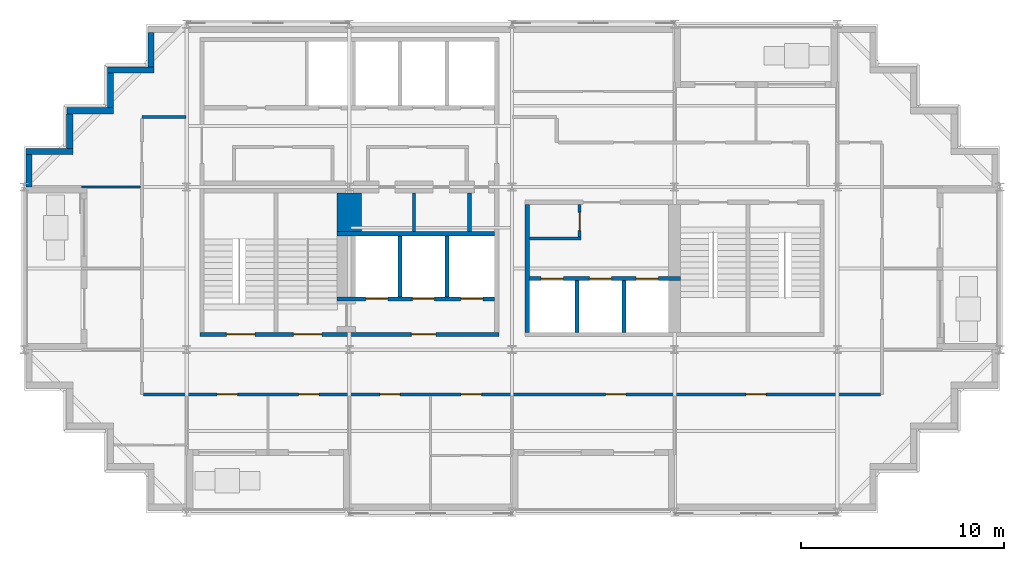
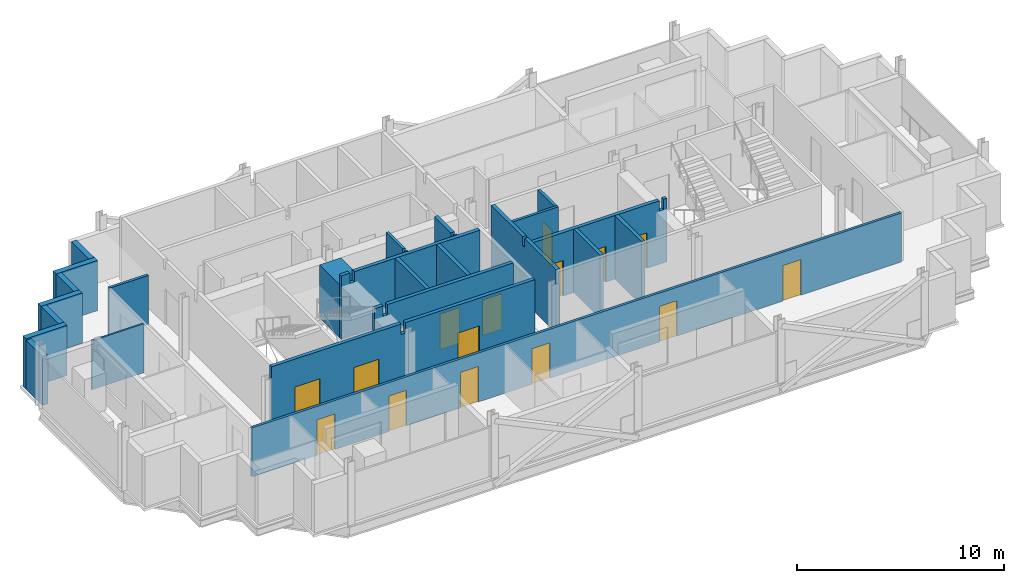
# One storey, part 5 of 10: 24 walls, 16 doors, 16 openings.
"""IFC4 building model written with IfcOpenShell, lengths in metres."""

from ifc_helpers import new_model, si_unit, direction, frame, frame_2d, origin, place, context, subcontext, project, spatial, polyline, rectangle, outline, extrude, material, layer, layer_set, type_object, element, fill, save


model = new_model("IFC4")

# Units and contexts
model_context = context("Model", 3, precision=1e-05, world=origin(), true_north=direction((0.0, 1.0)))
body_context = subcontext(model_context, "Body", "Model", "MODEL_VIEW")
ifc_project = project(units=[si_unit("LENGTHUNIT", "METRE"), si_unit("AREAUNIT", "SQUARE_METRE"), si_unit("VOLUMEUNIT", "CUBIC_METRE"), si_unit("PLANEANGLEUNIT", "RADIAN"), si_unit("MASSUNIT", "GRAM", prefix="KILO")], contexts=[model_context])

# Site, building, storey
site_placement = place(None, origin())
site = spatial("IfcSite", under=ifc_project, at=site_placement, CompositionType="ELEMENT")
building_placement = place(site_placement, origin())
building = spatial("IfcBuilding", under=site, at=building_placement, Name="Immortelle Media Tower", CompositionType="ELEMENT")
storey_placement = place(building_placement, frame((0.0, 0.0, 237.0)))
storey = spatial("IfcBuildingStorey", under=building, at=storey_placement, Name="L51", CompositionType="ELEMENT", Elevation=237.0)

# Walls
ifc_material_1 = material(Name="Fire-rated gypsum board", Category="gypsum")
ifc_layer_1 = layer(ifc_material_1, 0.02490234375)
ifc_material_2 = material(Name="Steel ASTM A653 SS Gr 50 stud frame with mineral wool", Category="steel")
ifc_layer_2 = layer(ifc_material_2, 0.10009765625)
ifc_layer_3 = layer(ifc_material_1, 0.02490234375)
ifc_layer_set_1 = layer_set([ifc_layer_1, ifc_layer_2, ifc_layer_3], Name="Steel ASTM A653 SS Gr 50 stud frame with mineral wool")
wall_type_1 = type_object("IfcWallType", Name="Core partition 150", PredefinedType="PARTITIONING", material=ifc_layer_set_1)
wall_1_placement = place(storey_placement, frame((19.175048828125, 13.800048828125, 0.0), z_axis=(0.0, 0.0, 1.0), x_axis=(0.0, 1.0, 0.0)))
element("IfcWall", 1, at=wall_1_placement, inside=storey, type_object=wall_type_1, Name="Core partition SW", PredefinedType="PARTITIONING", context=body_context, shape_type="SweptSolid", body=[
    extrude(outline(polyline([(0.0, 0.0), (1.89990234375, 0.0), (1.89990234375, 3.75), (0.28759765625, 3.75), (0.28662109375, 3.218017578125), (0.113525390625, 3.218017578125), (0.112548828125, 3.75), (0.0, 3.75), (0.0, 0.0)])), frame((0.0, 0.074951171875, 0.0), z_axis=(0.0, -1.0, 0.0), x_axis=(1.0, 0.0, 0.0)), (0.0, 0.0, 1.0), 0.14990234375),
])
wall_2_placement = place(storey_placement, frame((24.85009765625, 13.47509765625, 0.0), z_axis=(0.0, 0.0, 1.0), x_axis=(1.0, 0.0, 0.0)))
element("IfcWall", 2, at=wall_2_placement, inside=storey, type_object=wall_type_1, Name="Core partition SE", PredefinedType="PARTITIONING", context=body_context, shape_type="SweptSolid", body=[
    extrude(rectangle(XDim=2.5498046875, YDim=0.14990234375, at=frame_2d((1.27490234375, 0.0))), origin(), (0.0, 0.0, 1.0), 3.75),
])

# Wall, opening, door
wall_3_placement = place(storey_placement, frame((27.324951171875, 13.550048828125, 0.0), z_axis=(0.0, 0.0, 1.0), x_axis=(0.0, 1.0, 0.0)))
wall_3 = element("IfcWall", 3, at=wall_3_placement, inside=storey, type_object=wall_type_1, Name="Core partition SE", PredefinedType="PARTITIONING", context=body_context, shape_type="SweptSolid", body=[
    extrude(rectangle(XDim=1.599853515625, YDim=0.14990234375, at=frame_2d((0.7998046875, 0.0))), origin(), (0.0, 0.0, 1.0), 3.75),
])
opening_1_placement = place(wall_3_placement, frame((0.300048828125, 0.0, 0.0)))
opening_1 = element("IfcOpeningElement", 4, at=opening_1_placement, cuts=wall_3, Name="Opening O6-K021", PredefinedType="OPENING", context=body_context, shape_type="SweptSolid", body=[
    extrude(rectangle(XDim=0.89990234375, YDim=2.10009765625, at=frame_2d((0.449951171875, 1.050048828125))), frame((0.0, 0.0849609375, 0.0), z_axis=(0.0, -1.0, 0.0), x_axis=(1.0, 0.0, 0.0)), (0.0, 0.0, 1.0), 0.169921875),
])
ifc_material_3 = material(Name="Galvanised steel door leaf and frame ASTM A653", Category="steel")
door_type_1 = type_object("IfcDoorType", Name="Service door 900 x 2100", OperationType="NOTDEFINED", PredefinedType="NOTDEFINED", material=ifc_material_3)
door_1_placement = place(opening_1_placement, origin())
door_1 = element("IfcDoor", 5, at=door_1_placement, inside=storey, type_object=door_type_1, Name="Service O6-K021", OperationType="SINGLE_SWING_RIGHT", OverallHeight=2.10009765625, OverallWidth=0.89990234375, PredefinedType="NOTDEFINED", context=body_context, shape_type="SweptSolid", body=[
    extrude(rectangle(XDim=0.89990234375, YDim=2.10009765625, at=frame_2d((0.449951171875, 1.050048828125))), frame((0.0, 0.02490234375, 0.0), z_axis=(0.0, -1.0, 0.0), x_axis=(1.0, 0.0, 0.0)), (0.0, 0.0, 1.0), 0.050048828125),
])
fill(opening_1, door_1)

# Wall, openings, doors
ifc_layer_4 = layer(ifc_material_1, 0.03759765625)
ifc_layer_5 = layer(ifc_material_2, 0.125)
ifc_layer_6 = layer(ifc_material_1, 0.03759765625)
ifc_layer_set_2 = layer_set([ifc_layer_4, ifc_layer_5, ifc_layer_6], Name="Steel ASTM A653 SS Gr 50 stud frame with mineral wool")
wall_type_2 = type_object("IfcWallType", Name="Core shaft wall 200", PredefinedType="PARTITIONING", material=ifc_layer_set_2)
wall_4_placement = place(storey_placement, frame((15.39990234375, 10.5, 0.0), z_axis=(0.0, 0.0, 1.0), x_axis=(1.0, 0.0, 0.0)))
wall_4 = element("IfcWall", 6, at=wall_4_placement, inside=storey, type_object=wall_type_2, Name="Core shaft wall SW", PredefinedType="PARTITIONING", context=body_context, shape_type="SweptSolid", body=[
    extrude(outline(polyline([(0.0, 0.0), (7.75, 0.0), (7.75, 3.75), (0.719482421875, 3.75), (0.718505859375, 3.132080078125), (0.4814453125, 3.132080078125), (0.48046875, 3.75), (0.0, 3.75), (0.0, 0.0)])), frame((0.0, 0.10009765625, 0.0), z_axis=(0.0, -1.0, 0.0), x_axis=(1.0, 0.0, 0.0)), (0.0, 0.0, 1.0), 0.199951171875),
])
opening_2_placement = place(wall_4_placement, frame((1.39990234375, 0.0, 0.0)))
opening_2 = element("IfcOpeningElement", 7, at=opening_2_placement, cuts=wall_4, Name="Opening LD", PredefinedType="OPENING", context=body_context, shape_type="SweptSolid", body=[
    extrude(rectangle(XDim=1.10009765625, YDim=2.10009765625, at=frame_2d((0.550048828125, 1.050048828125))), frame((0.0, 0.10986328125, 0.0), z_axis=(0.0, -1.0, 0.0), x_axis=(1.0, 0.0, 0.0)), (0.0, 0.0, 1.0), 0.219970703125),
])
opening_3_placement = place(wall_4_placement, frame((3.699951171875, 0.0, 0.0)))
opening_3 = element("IfcOpeningElement", 8, at=opening_3_placement, cuts=wall_4, Name="Opening LD", PredefinedType="OPENING", context=body_context, shape_type="SweptSolid", body=[
    extrude(rectangle(XDim=1.10009765625, YDim=2.10009765625, at=frame_2d((0.550048828125, 1.050048828125))), frame((0.0, 0.10986328125, 0.0), z_axis=(0.0, -1.0, 0.0), x_axis=(1.0, 0.0, 0.0)), (0.0, 0.0, 1.0), 0.219970703125),
])
opening_4_placement = place(wall_4_placement, frame((6.074951171875, 0.0, 0.0)))
opening_4 = element("IfcOpeningElement", 9, at=opening_4_placement, cuts=wall_4, Name="Opening LD", PredefinedType="OPENING", context=body_context, shape_type="SweptSolid", body=[
    extrude(rectangle(XDim=1.10009765625, YDim=2.10009765625, at=frame_2d((0.550048828125, 1.050048828125))), frame((0.0, 0.10986328125, 0.0), z_axis=(0.0, -1.0, 0.0), x_axis=(1.0, 0.0, 0.0)), (0.0, 0.0, 1.0), 0.219970703125),
])
ifc_material_4 = material(Name="Stainless steel AISI 304", Category="steel")
door_type_2 = type_object("IfcDoorType", Name="Landing door 1100 x 2100", OperationType="SLIDING_TO_LEFT", PredefinedType="NOTDEFINED", material=ifc_material_4)
door_2_placement = place(opening_2_placement, origin())
door_2 = element("IfcDoor", 10, at=door_2_placement, inside=storey, type_object=door_type_2, Name="Landing door FF1 L51", OperationType="SLIDING_TO_LEFT", OverallHeight=2.10009765625, OverallWidth=1.10009765625, PredefinedType="NOTDEFINED", context=body_context, shape_type="SweptSolid", body=[
    extrude(rectangle(XDim=1.10009765625, YDim=2.10009765625, at=frame_2d((0.550048828125, 1.050048828125))), frame((0.0, 0.02490234375, 0.0), z_axis=(0.0, -1.0, 0.0), x_axis=(1.0, 0.0, 0.0)), (0.0, 0.0, 1.0), 0.050048828125),
])
fill(opening_2, door_2)
door_3_placement = place(opening_3_placement, origin())
door_3 = element("IfcDoor", 11, at=door_3_placement, inside=storey, type_object=door_type_2, Name="Landing door FF2 L51", OperationType="SLIDING_TO_LEFT", OverallHeight=2.10009765625, OverallWidth=1.10009765625, PredefinedType="NOTDEFINED", context=body_context, shape_type="SweptSolid", body=[
    extrude(rectangle(XDim=1.10009765625, YDim=2.10009765625, at=frame_2d((0.550048828125, 1.050048828125))), frame((0.0, 0.02490234375, 0.0), z_axis=(0.0, -1.0, 0.0), x_axis=(1.0, 0.0, 0.0)), (0.0, 0.0, 1.0), 0.050048828125),
])
fill(opening_3, door_3)
door_4_placement = place(opening_4_placement, origin())
door_4 = element("IfcDoor", 12, at=door_4_placement, inside=storey, type_object=door_type_2, Name="Landing door FF3 L51", OperationType="SLIDING_TO_LEFT", OverallHeight=2.10009765625, OverallWidth=1.10009765625, PredefinedType="NOTDEFINED", context=body_context, shape_type="SweptSolid", body=[
    extrude(rectangle(XDim=1.10009765625, YDim=2.10009765625, at=frame_2d((0.550048828125, 1.050048828125))), frame((0.0, 0.02490234375, 0.0), z_axis=(0.0, -1.0, 0.0), x_axis=(1.0, 0.0, 0.0)), (0.0, 0.0, 1.0), 0.050048828125),
])
fill(opening_4, door_4)

# Walls
wall_5_placement = place(storey_placement, frame((15.39990234375, 13.699951171875, 0.0), z_axis=(0.0, 0.0, 1.0), x_axis=(1.0, 0.0, 0.0)))
element("IfcWall", 13, at=wall_5_placement, inside=storey, type_object=wall_type_2, Name="Core shaft wall SW", PredefinedType="PARTITIONING", context=body_context, shape_type="SweptSolid", body=[
    extrude(outline(polyline([(0.0, 0.0), (7.75, 0.0), (7.75, 3.75), (0.719482421875, 3.75), (0.718505859375, 3.132080078125), (0.4814453125, 3.132080078125), (0.48046875, 3.75), (0.0, 3.75), (0.0, 0.0)])), frame((0.0, 0.10009765625, 0.0), z_axis=(0.0, -1.0, 0.0), x_axis=(1.0, 0.0, 0.0)), (0.0, 0.0, 1.0), 0.199951171875),
])
for number, where, z_axis, x_axis, name in (
    (14, (18.5, 10.60009765625, 0.0), (0.0, 0.0, 1.0), (0.0, 1.0, 0.0), "Core shaft wall SW"),
    (15, (20.800048828125, 10.60009765625, 0.0), (0.0, 0.0, 1.0), (0.0, 1.0, 0.0), "Core shaft wall SW"),
):
    element("IfcWall", number, at=place(storey_placement, frame(where, z_axis=z_axis, x_axis=x_axis)), inside=storey, type_object=wall_type_2, Name=name, PredefinedType="PARTITIONING", context=body_context, shape_type="SweptSolid", body=[
        extrude(rectangle(XDim=3.0, YDim=0.199951171875, at=frame_2d((1.5, 0.0))), origin(), (0.0, 0.0, 1.0), 3.75),
    ])
wall_6_placement = place(storey_placement, frame((21.89990234375, 13.800048828125, 0.0), z_axis=(0.0, 0.0, 1.0), x_axis=(0.0, 1.0, 0.0)))
element("IfcWall", 16, at=wall_6_placement, inside=storey, type_object=wall_type_2, Name="Core shaft wall SW", PredefinedType="PARTITIONING", context=body_context, shape_type="SweptSolid", body=[
    extrude(outline(polyline([(0.0, 0.0), (1.89990234375, 0.0), (1.89990234375, 3.75), (0.28759765625, 3.75), (0.28662109375, 3.218017578125), (0.113525390625, 3.218017578125), (0.112548828125, 3.75), (0.0, 3.75), (0.0, 0.0)])), frame((0.0, 0.10009765625, 0.0), z_axis=(0.0, -1.0, 0.0), x_axis=(1.0, 0.0, 0.0)), (0.0, 0.0, 1.0), 0.199951171875),
])
wall_7_placement = place(storey_placement, frame((24.75, 8.85009765625, 0.0), z_axis=(0.0, 0.0, 1.0), x_axis=(0.0, 1.0, 0.0)))
element("IfcWall", 17, at=wall_7_placement, inside=storey, type_object=wall_type_2, Name="Core shaft wall SE", PredefinedType="PARTITIONING", context=body_context, shape_type="SweptSolid", body=[
    extrude(outline(polyline([(0.0, 0.0), (6.2998046875, 0.0), (6.300048828125, 3.75), (3.237548828125, 3.75), (3.236572265625, 3.218017578125), (3.0634765625, 3.218017578125), (3.0625, 3.75), (0.0, 3.75), (0.0, 0.0)])), frame((0.0, 0.10009765625, 0.0), z_axis=(0.0, -1.0, 0.0), x_axis=(1.0, 0.0, 0.0)), (0.0, 0.0, 1.0), 0.199951171875),
])

# Wall, openings, doors
wall_8_placement = place(storey_placement, frame((24.85009765625, 11.5, 0.0), z_axis=(0.0, 0.0, 1.0), x_axis=(1.0, 0.0, 0.0)))
wall_8 = element("IfcWall", 18, at=wall_8_placement, inside=storey, type_object=wall_type_2, Name="Core shaft wall SE", PredefinedType="PARTITIONING", context=body_context, shape_type="SweptSolid", body=[
    extrude(outline(polyline([(0.0, 0.0), (7.449951171875, 0.0), (7.449951171875, 3.75), (7.26953125, 3.75), (7.2685546875, 3.132080078125), (7.031494140625, 3.132080078125), (7.030517578125, 3.75), (0.0, 3.75), (0.0, 0.0)])), frame((0.0, 0.10009765625, 0.0), z_axis=(0.0, -1.0, 0.0), x_axis=(1.0, 0.0, 0.0)), (0.0, 0.0, 1.0), 0.199951171875),
])
opening_5_placement = place(wall_8_placement, frame((0.574951171875, 0.0, 0.0)))
opening_5 = element("IfcOpeningElement", 19, at=opening_5_placement, cuts=wall_8, Name="Opening LD", PredefinedType="OPENING", context=body_context, shape_type="SweptSolid", body=[
    extrude(rectangle(XDim=1.10009765625, YDim=2.10009765625, at=frame_2d((0.550048828125, 1.050048828125))), frame((0.0, 0.10986328125, 0.0), z_axis=(0.0, -1.0, 0.0), x_axis=(1.0, 0.0, 0.0)), (0.0, 0.0, 1.0), 0.219970703125),
])
opening_6_placement = place(wall_8_placement, frame((2.949951171875, 0.0, 0.0)))
opening_6 = element("IfcOpeningElement", 20, at=opening_6_placement, cuts=wall_8, Name="Opening LD", PredefinedType="OPENING", context=body_context, shape_type="SweptSolid", body=[
    extrude(rectangle(XDim=1.10009765625, YDim=2.10009765625, at=frame_2d((0.550048828125, 1.050048828125))), frame((0.0, 0.10986328125, 0.0), z_axis=(0.0, -1.0, 0.0), x_axis=(1.0, 0.0, 0.0)), (0.0, 0.0, 1.0), 0.219970703125),
])
opening_7_placement = place(wall_8_placement, frame((5.25, 0.0, 0.0)))
opening_7 = element("IfcOpeningElement", 21, at=opening_7_placement, cuts=wall_8, Name="Opening LD", PredefinedType="OPENING", context=body_context, shape_type="SweptSolid", body=[
    extrude(rectangle(XDim=1.10009765625, YDim=2.10009765625, at=frame_2d((0.550048828125, 1.050048828125))), frame((0.0, 0.10986328125, 0.0), z_axis=(0.0, -1.0, 0.0), x_axis=(1.0, 0.0, 0.0)), (0.0, 0.0, 1.0), 0.219970703125),
])
door_5_placement = place(opening_5_placement, origin())
door_5 = element("IfcDoor", 22, at=door_5_placement, inside=storey, type_object=door_type_2, Name="Landing door HS1 L51", OperationType="SLIDING_TO_LEFT", OverallHeight=2.10009765625, OverallWidth=1.10009765625, PredefinedType="NOTDEFINED", context=body_context, shape_type="SweptSolid", body=[
    extrude(rectangle(XDim=1.10009765625, YDim=2.10009765625, at=frame_2d((0.550048828125, 1.050048828125))), frame((0.0, 0.02490234375, 0.0), z_axis=(0.0, -1.0, 0.0), x_axis=(1.0, 0.0, 0.0)), (0.0, 0.0, 1.0), 0.050048828125),
])
fill(opening_5, door_5)
door_6_placement = place(opening_6_placement, origin())
door_6 = element("IfcDoor", 23, at=door_6_placement, inside=storey, type_object=door_type_2, Name="Landing door HS2 L51", OperationType="SLIDING_TO_LEFT", OverallHeight=2.10009765625, OverallWidth=1.10009765625, PredefinedType="NOTDEFINED", context=body_context, shape_type="SweptSolid", body=[
    extrude(rectangle(XDim=1.10009765625, YDim=2.10009765625, at=frame_2d((0.550048828125, 1.050048828125))), frame((0.0, 0.02490234375, 0.0), z_axis=(0.0, -1.0, 0.0), x_axis=(1.0, 0.0, 0.0)), (0.0, 0.0, 1.0), 0.050048828125),
])
fill(opening_6, door_6)
door_7_placement = place(opening_7_placement, origin())
door_7 = element("IfcDoor", 24, at=door_7_placement, inside=storey, type_object=door_type_2, Name="Landing door HS3 L51", OperationType="SLIDING_TO_LEFT", OverallHeight=2.10009765625, OverallWidth=1.10009765625, PredefinedType="NOTDEFINED", context=body_context, shape_type="SweptSolid", body=[
    extrude(rectangle(XDim=1.10009765625, YDim=2.10009765625, at=frame_2d((0.550048828125, 1.050048828125))), frame((0.0, 0.02490234375, 0.0), z_axis=(0.0, -1.0, 0.0), x_axis=(1.0, 0.0, 0.0)), (0.0, 0.0, 1.0), 0.050048828125),
])
fill(opening_7, door_7)

# Walls
for number, where, z_axis, x_axis, name in (
    (25, (27.199951171875, 8.85009765625, 0.0), (0.0, 0.0, 1.0), (0.0, 1.0, 0.0), "Core shaft wall SE"),
    (26, (29.5, 8.85009765625, 0.0), (0.0, 0.0, 1.0), (0.0, 1.0, 0.0), "Core shaft wall SE"),
):
    element("IfcWall", number, at=place(storey_placement, frame(where, z_axis=z_axis, x_axis=x_axis)), inside=storey, type_object=wall_type_2, Name=name, PredefinedType="PARTITIONING", context=body_context, shape_type="SweptSolid", body=[
        extrude(rectangle(XDim=2.5498046875, YDim=0.199951171875, at=frame_2d((1.27490234375, 0.0))), origin(), (0.0, 0.0, 1.0), 3.75),
    ])

# Wall, openings, doors
ifc_layer_7 = layer(ifc_material_1, 0.012451171875)
ifc_layer_8 = layer(ifc_material_2, 0.125)
ifc_layer_9 = layer(ifc_material_1, 0.012451171875)
ifc_layer_set_3 = layer_set([ifc_layer_7, ifc_layer_8, ifc_layer_9], Name="Steel ASTM A653 SS Gr 50 stud frame with mineral wool")
wall_type_3 = type_object("IfcWallType", Name="Corridor wall 150", PredefinedType="PARTITIONING", material=ifc_layer_set_3)
wall_9_placement = place(storey_placement, frame((5.875, 5.800048828125, 0.0), z_axis=(0.0, 0.0, 1.0), x_axis=(1.0, 0.0, 0.0)))
wall_9 = element("IfcWall", 27, at=wall_9_placement, inside=storey, type_object=wall_type_3, Name="Partition L51-011", PredefinedType="PARTITIONING", context=body_context, shape_type="SweptSolid", body=[
    extrude(rectangle(XDim=36.25, YDim=0.14990234375, at=frame_2d((18.125, 0.0))), origin(), (0.0, 0.0, 1.0), 2.885009765625),
])
opening_8_placement = place(wall_9_placement, frame((12.625, 0.0, 0.0), z_axis=(0.0, 0.0, 1.0), x_axis=(-1.0, 0.0, 0.0)))
opening_8 = element("IfcOpeningElement", 28, at=opening_8_placement, cuts=wall_9, Name="Opening O6-F001", PredefinedType="OPENING", context=body_context, shape_type="SweptSolid", body=[
    extrude(rectangle(XDim=1.0, YDim=2.10009765625, at=frame_2d((0.5, 1.050048828125))), frame((0.0, 0.0849609375, 0.0), z_axis=(0.0, -1.0, 0.0), x_axis=(1.0, 0.0, 0.0)), (0.0, 0.0, 1.0), 0.169921875),
])
opening_9_placement = place(wall_9_placement, frame((16.625, 0.0, 0.0), z_axis=(0.0, 0.0, 1.0), x_axis=(-1.0, 0.0, 0.0)))
opening_9 = element("IfcOpeningElement", 29, at=opening_9_placement, cuts=wall_9, Name="Opening O6-F002", PredefinedType="OPENING", context=body_context, shape_type="SweptSolid", body=[
    extrude(rectangle(XDim=1.0, YDim=2.10009765625, at=frame_2d((0.5, 1.050048828125))), frame((0.0, 0.0849609375, 0.0), z_axis=(0.0, -1.0, 0.0), x_axis=(1.0, 0.0, 0.0)), (0.0, 0.0, 1.0), 0.169921875),
])
opening_10_placement = place(wall_9_placement, frame((30.625, 0.0, 0.0), z_axis=(0.0, 0.0, 1.0), x_axis=(-1.0, 0.0, 0.0)))
opening_10 = element("IfcOpeningElement", 30, at=opening_10_placement, cuts=wall_9, Name="Opening O6-F004", PredefinedType="OPENING", context=body_context, shape_type="SweptSolid", body=[
    extrude(rectangle(XDim=1.0, YDim=2.10009765625, at=frame_2d((0.5, 1.050048828125))), frame((0.0, 0.0849609375, 0.0), z_axis=(0.0, -1.0, 0.0), x_axis=(1.0, 0.0, 0.0)), (0.0, 0.0, 1.0), 0.169921875),
])
opening_11_placement = place(wall_9_placement, frame((4.625, 0.0, 0.0), z_axis=(0.0, 0.0, 1.0), x_axis=(-1.0, 0.0, 0.0)))
opening_11 = element("IfcOpeningElement", 31, at=opening_11_placement, cuts=wall_9, Name="Opening O6-F005", PredefinedType="OPENING", context=body_context, shape_type="SweptSolid", body=[
    extrude(rectangle(XDim=1.0, YDim=2.10009765625, at=frame_2d((0.5, 1.050048828125))), frame((0.0, 0.0849609375, 0.0), z_axis=(0.0, -1.0, 0.0), x_axis=(1.0, 0.0, 0.0)), (0.0, 0.0, 1.0), 0.169921875),
])
opening_12_placement = place(wall_9_placement, frame((8.625, 0.0, 0.0), z_axis=(0.0, 0.0, 1.0), x_axis=(-1.0, 0.0, 0.0)))
opening_12 = element("IfcOpeningElement", 32, at=opening_12_placement, cuts=wall_9, Name="Opening O6-F006", PredefinedType="OPENING", context=body_context, shape_type="SweptSolid", body=[
    extrude(rectangle(XDim=1.0, YDim=2.10009765625, at=frame_2d((0.5, 1.050048828125))), frame((0.0, 0.0849609375, 0.0), z_axis=(0.0, -1.0, 0.0), x_axis=(1.0, 0.0, 0.0)), (0.0, 0.0, 1.0), 0.169921875),
])
opening_13_placement = place(wall_9_placement, frame((23.72509765625, 0.0, 0.0), z_axis=(0.0, 0.0, 1.0), x_axis=(-1.0, 0.0, 0.0)))
opening_13 = element("IfcOpeningElement", 33, at=opening_13_placement, cuts=wall_9, Name="Opening O6-F007", PredefinedType="OPENING", context=body_context, shape_type="SweptSolid", body=[
    extrude(rectangle(XDim=1.0, YDim=2.10009765625, at=frame_2d((0.5, 1.050048828125))), frame((0.0, 0.0849609375, 0.0), z_axis=(0.0, -1.0, 0.0), x_axis=(1.0, 0.0, 0.0)), (0.0, 0.0, 1.0), 0.169921875),
])
ifc_material_5 = material(Name="Timber veneered door leaf, galvanised steel frame ASTM A653", Category="steel")
door_type_3 = type_object("IfcDoorType", Name="Room door 1000 x 2100", OperationType="NOTDEFINED", PredefinedType="DOOR", material=ifc_material_5)
door_8_placement = place(opening_8_placement, origin())
door_8 = element("IfcDoor", 34, at=door_8_placement, inside=storey, type_object=door_type_3, Name="Door O6-F001", OperationType="SINGLE_SWING_LEFT", OverallHeight=2.10009765625, OverallWidth=1.0, PredefinedType="DOOR", context=body_context, shape_type="SweptSolid", body=[
    extrude(rectangle(XDim=1.0, YDim=2.10009765625, at=frame_2d((0.5, 1.050048828125))), frame((0.0, 0.02490234375, 0.0), z_axis=(0.0, -1.0, 0.0), x_axis=(1.0, 0.0, 0.0)), (0.0, 0.0, 1.0), 0.050048828125),
])
fill(opening_8, door_8)
door_9_placement = place(opening_9_placement, origin())
door_9 = element("IfcDoor", 35, at=door_9_placement, inside=storey, type_object=door_type_3, Name="Door O6-F002", OperationType="SINGLE_SWING_RIGHT", OverallHeight=2.10009765625, OverallWidth=1.0, PredefinedType="DOOR", context=body_context, shape_type="SweptSolid", body=[
    extrude(rectangle(XDim=1.0, YDim=2.10009765625, at=frame_2d((0.5, 1.050048828125))), frame((0.0, 0.02490234375, 0.0), z_axis=(0.0, -1.0, 0.0), x_axis=(1.0, 0.0, 0.0)), (0.0, 0.0, 1.0), 0.050048828125),
])
fill(opening_9, door_9)
door_10_placement = place(opening_10_placement, origin())
door_10 = element("IfcDoor", 36, at=door_10_placement, inside=storey, type_object=door_type_3, Name="Door O6-F004", OperationType="SINGLE_SWING_RIGHT", OverallHeight=2.10009765625, OverallWidth=1.0, PredefinedType="DOOR", context=body_context, shape_type="SweptSolid", body=[
    extrude(rectangle(XDim=1.0, YDim=2.10009765625, at=frame_2d((0.5, 1.050048828125))), frame((0.0, 0.02490234375, 0.0), z_axis=(0.0, -1.0, 0.0), x_axis=(1.0, 0.0, 0.0)), (0.0, 0.0, 1.0), 0.050048828125),
])
fill(opening_10, door_10)
door_11_placement = place(opening_11_placement, origin())
door_11 = element("IfcDoor", 37, at=door_11_placement, inside=storey, type_object=door_type_3, Name="Door O6-F005", OperationType="SINGLE_SWING_LEFT", OverallHeight=2.10009765625, OverallWidth=1.0, PredefinedType="DOOR", context=body_context, shape_type="SweptSolid", body=[
    extrude(rectangle(XDim=1.0, YDim=2.10009765625, at=frame_2d((0.5, 1.050048828125))), frame((0.0, 0.02490234375, 0.0), z_axis=(0.0, -1.0, 0.0), x_axis=(1.0, 0.0, 0.0)), (0.0, 0.0, 1.0), 0.050048828125),
])
fill(opening_11, door_11)
door_12_placement = place(opening_12_placement, origin())
door_12 = element("IfcDoor", 38, at=door_12_placement, inside=storey, type_object=door_type_3, Name="Door O6-F006", OperationType="SINGLE_SWING_RIGHT", OverallHeight=2.10009765625, OverallWidth=1.0, PredefinedType="DOOR", context=body_context, shape_type="SweptSolid", body=[
    extrude(rectangle(XDim=1.0, YDim=2.10009765625, at=frame_2d((0.5, 1.050048828125))), frame((0.0, 0.02490234375, 0.0), z_axis=(0.0, -1.0, 0.0), x_axis=(1.0, 0.0, 0.0)), (0.0, 0.0, 1.0), 0.050048828125),
])
fill(opening_12, door_12)
door_13_placement = place(opening_13_placement, origin())
door_13 = element("IfcDoor", 39, at=door_13_placement, inside=storey, type_object=door_type_3, Name="Door O6-F007", OperationType="SINGLE_SWING_LEFT", OverallHeight=2.10009765625, OverallWidth=1.0, PredefinedType="DOOR", context=body_context, shape_type="SweptSolid", body=[
    extrude(rectangle(XDim=1.0, YDim=2.10009765625, at=frame_2d((0.5, 1.050048828125))), frame((0.0, 0.02490234375, 0.0), z_axis=(0.0, -1.0, 0.0), x_axis=(1.0, 0.0, 0.0)), (0.0, 0.0, 1.0), 0.050048828125),
])
fill(opening_13, door_13)

# Walls
wall_10_placement = place(storey_placement, frame((5.800048828125, 19.449951171875, 0.0), z_axis=(0.0, 0.0, 1.0), x_axis=(1.0, 0.0, 0.0)))
element("IfcWall", 40, at=wall_10_placement, inside=storey, type_object=wall_type_3, Name="Partition L51-028", PredefinedType="PARTITIONING", context=body_context, shape_type="SweptSolid", body=[
    extrude(rectangle(XDim=2.169921875, YDim=0.14990234375, at=frame_2d((1.0849609375, 0.0))), origin(), (0.0, 0.0, 1.0), 2.885009765625),
])
ifc_material_6 = material(Name="Pale aluminium cladding panel", Category="aluminium")
ifc_layer_10 = layer(ifc_material_6, 0.030029296875)
ifc_layer_11 = layer(ifc_material_2, 0.257568359375)
ifc_material_7 = material(Name="Moisture-resistant gypsum board", Category="gypsum")
ifc_layer_12 = layer(ifc_material_7, 0.012451171875)
ifc_layer_set_4 = layer_set([ifc_layer_10, ifc_layer_11, ifc_layer_12], Name="Steel ASTM A653 SS Gr 50 stud frame with mineral wool")
wall_type_4 = type_object("IfcWallType", Name="Facade wall 300", PredefinedType="SOLIDWALL", material=ifc_layer_set_4)
wall_11_placement = place(storey_placement, frame((6.25, 23.60009765625, 0.0), z_axis=(0.0, 0.0, 1.0), x_axis=(0.0, -1.0, 0.0)))
element("IfcWall", 41, at=wall_11_placement, inside=storey, type_object=wall_type_4, Name="Facade wall L51 W21", PredefinedType="SOLIDWALL", context=body_context, shape_type="SweptSolid", body=[
    extrude(rectangle(XDim=1.7001953125, YDim=0.300048828125, at=frame_2d((0.85009765625, 0.0))), origin(), (0.0, 0.0, 1.0), 2.968994140625),
])
wall_12_placement = place(storey_placement, frame((6.39990234375, 21.75, 0.0), z_axis=(0.0, 0.0, 1.0), x_axis=(-1.0, 0.0, 0.0)))
element("IfcWall", 42, at=wall_12_placement, inside=storey, type_object=wall_type_4, Name="Facade wall L51 N22", PredefinedType="SOLIDWALL", context=body_context, shape_type="SweptSolid", body=[
    extrude(rectangle(XDim=2.2998046875, YDim=0.300048828125, at=frame_2d((1.14990234375, 0.0))), origin(), (0.0, 0.0, 1.0), 2.968994140625),
])
wall_13_placement = place(storey_placement, frame((4.25, 21.60009765625, 0.0), z_axis=(0.0, 0.0, 1.0), x_axis=(0.0, -1.0, 0.0)))
element("IfcWall", 43, at=wall_13_placement, inside=storey, type_object=wall_type_4, Name="Facade wall L51 W23", PredefinedType="SOLIDWALL", context=body_context, shape_type="SweptSolid", body=[
    extrude(rectangle(XDim=1.7001953125, YDim=0.300048828125, at=frame_2d((0.85009765625, 0.0))), origin(), (0.0, 0.0, 1.0), 2.968994140625),
])
wall_14_placement = place(storey_placement, frame((4.39990234375, 19.75, 0.0), z_axis=(0.0, 0.0, 1.0), x_axis=(-1.0, 0.0, 0.0)))
element("IfcWall", 44, at=wall_14_placement, inside=storey, type_object=wall_type_4, Name="Facade wall L51 N24", PredefinedType="SOLIDWALL", context=body_context, shape_type="SweptSolid", body=[
    extrude(rectangle(XDim=2.2998046875, YDim=0.300048828125, at=frame_2d((1.14990234375, 0.0))), origin(), (0.0, 0.0, 1.0), 2.968994140625),
])
wall_15_placement = place(storey_placement, frame((2.25, 19.60009765625, 0.0), z_axis=(0.0, 0.0, 1.0), x_axis=(0.0, -1.0, 0.0)))
element("IfcWall", 45, at=wall_15_placement, inside=storey, type_object=wall_type_4, Name="Facade wall L51 W25", PredefinedType="SOLIDWALL", context=body_context, shape_type="SweptSolid", body=[
    extrude(rectangle(XDim=1.7001953125, YDim=0.300048828125, at=frame_2d((0.85009765625, 0.0))), origin(), (0.0, 0.0, 1.0), 2.968994140625),
])
wall_16_placement = place(storey_placement, frame((2.39990234375, 17.75, 0.0), z_axis=(0.0, 0.0, 1.0), x_axis=(-1.0, 0.0, 0.0)))
element("IfcWall", 46, at=wall_16_placement, inside=storey, type_object=wall_type_4, Name="Facade wall L51 N26", PredefinedType="SOLIDWALL", context=body_context, shape_type="SweptSolid", body=[
    extrude(rectangle(XDim=2.2998046875, YDim=0.300048828125, at=frame_2d((1.14990234375, 0.0))), origin(), (0.0, 0.0, 1.0), 2.968994140625),
])
wall_17_placement = place(storey_placement, frame((0.25, 17.60009765625, 0.0), z_axis=(0.0, 0.0, 1.0), x_axis=(0.0, -1.0, 0.0)))
element("IfcWall", 47, at=wall_17_placement, inside=storey, type_object=wall_type_4, Name="Facade wall L51 W27", PredefinedType="SOLIDWALL", context=body_context, shape_type="SweptSolid", body=[
    extrude(rectangle(XDim=1.60009765625, YDim=0.300048828125, at=frame_2d((0.800048828125, 0.0))), origin(), (0.0, 0.0, 1.0), 2.889892578125),
])
ifc_material_8 = material(Name="Gypsum board", Category="gypsum")
ifc_layer_13 = layer(ifc_material_8, 0.012451171875)
ifc_layer_14 = layer(ifc_material_2, 0.074951171875)
ifc_layer_15 = layer(ifc_material_8, 0.012451171875)
ifc_layer_set_5 = layer_set([ifc_layer_13, ifc_layer_14, ifc_layer_15], Name="Steel ASTM A653 SS Gr 50 stud frame with mineral wool")
wall_type_5 = type_object("IfcWallType", Name="Partition 100", PredefinedType="PARTITIONING", material=ifc_layer_set_5)
wall_18_placement = place(storey_placement, frame((2.830078125, 16.0, 0.0), z_axis=(0.0, 0.0, 1.0), x_axis=(1.0, 0.0, 0.0)))
element("IfcWall", 48, at=wall_18_placement, inside=storey, type_object=wall_type_5, Name="Partition L51-018", PredefinedType="PARTITIONING", context=body_context, shape_type="SweptSolid", body=[
    extrude(rectangle(XDim=2.89501953125, YDim=0.10009765625, at=frame_2d((1.447509765625, 0.0))), origin(), (0.0, 0.0, 1.0), 2.885009765625),
])
ifc_material_9 = material(Name="Concrete C60", Category="concrete")
ifc_layer_16 = layer(ifc_material_9, 1.199951171875)
ifc_layer_set_6 = layer_set([ifc_layer_16], Name="Concrete C60")
wall_type_6 = type_object("IfcWallType", Name="Stair shaft wall 1200", PredefinedType="PARTITIONING", material=ifc_layer_set_6)
wall_19_placement = place(storey_placement, frame((16.0, 13.800048828125, 0.0), z_axis=(0.0, 0.0, 1.0), x_axis=(0.0, 1.0, 0.0)))
element("IfcWall", 49, at=wall_19_placement, inside=storey, type_object=wall_type_6, Name="Stair shaft wall SW", PredefinedType="PARTITIONING", context=body_context, shape_type="SweptSolid", body=[
    extrude(rectangle(XDim=1.89990234375, YDim=1.199951171875, at=frame_2d((0.949951171875, 0.0))), origin(), (0.0, 0.0, 1.0), 3.132080078125),
])

# Wall, openings, doors
ifc_layer_17 = layer(ifc_material_9, 0.199951171875)
ifc_layer_set_7 = layer_set([ifc_layer_17], Name="Concrete C60")
wall_type_7 = type_object("IfcWallType", Name="Stair shaft wall 200", PredefinedType="PARTITIONING", material=ifc_layer_set_7)
wall_20_placement = place(storey_placement, frame((8.64990234375, 8.75, 0.0), z_axis=(0.0, 0.0, 1.0), x_axis=(1.0, 0.0, 0.0)))
wall_20 = element("IfcWall", 50, at=wall_20_placement, inside=storey, type_object=wall_type_7, Name="Stair shaft wall SW", PredefinedType="PARTITIONING", context=body_context, shape_type="SweptSolid", body=[
    extrude(outline(polyline([(0.0, 0.0), (14.7001953125, 0.0), (14.699951171875, 3.75), (7.469482421875, 3.75), (7.468505859375, 3.132080078125), (7.2314453125, 3.132080078125), (7.23046875, 3.75), (0.0, 3.75), (0.0, 0.0)])), frame((0.0, 0.10009765625, 0.0), z_axis=(0.0, -1.0, 0.0), x_axis=(1.0, 0.0, 0.0)), (0.0, 0.0, 1.0), 0.199951171875),
])
opening_14_placement = place(wall_20_placement, frame((1.300048828125, 0.0, 0.0)))
opening_14 = element("IfcOpeningElement", 51, at=opening_14_placement, cuts=wall_20, Name="Opening O6-K002", PredefinedType="OPENING", context=body_context, shape_type="SweptSolid", body=[
    extrude(rectangle(XDim=1.39990234375, YDim=2.10009765625, at=frame_2d((0.699951171875, 1.050048828125))), frame((0.0, 0.10986328125, 0.0), z_axis=(0.0, -1.0, 0.0), x_axis=(1.0, 0.0, 0.0)), (0.0, 0.0, 1.0), 0.219970703125),
])
opening_15_placement = place(wall_20_placement, frame((4.60009765625, 0.0, 0.0)))
opening_15 = element("IfcOpeningElement", 52, at=opening_15_placement, cuts=wall_20, Name="Opening O6-K005", PredefinedType="OPENING", context=body_context, shape_type="SweptSolid", body=[
    extrude(rectangle(XDim=1.39990234375, YDim=2.10009765625, at=frame_2d((0.699951171875, 1.050048828125))), frame((0.0, 0.10986328125, 0.0), z_axis=(0.0, -1.0, 0.0), x_axis=(1.0, 0.0, 0.0)), (0.0, 0.0, 1.0), 0.219970703125),
])
opening_16_placement = place(wall_20_placement, frame((10.39990234375, 0.0, 0.0)))
opening_16 = element("IfcOpeningElement", 53, at=opening_16_placement, cuts=wall_20, Name="Opening O6-K012", PredefinedType="OPENING", context=body_context, shape_type="SweptSolid", body=[
    extrude(rectangle(XDim=1.199951171875, YDim=2.10009765625, at=frame_2d((0.60009765625, 1.050048828125))), frame((0.0, 0.10986328125, 0.0), z_axis=(0.0, -1.0, 0.0), x_axis=(1.0, 0.0, 0.0)), (0.0, 0.0, 1.0), 0.219970703125),
])
door_type_4 = type_object("IfcDoorType", Name="Fire-fighting lobby door 1200 x 2100", OperationType="NOTDEFINED", PredefinedType="NOTDEFINED", material=ifc_material_3)
door_14_placement = place(opening_16_placement, origin())
door_14 = element("IfcDoor", 54, at=door_14_placement, inside=storey, type_object=door_type_4, Name="Fire-fighting lobby O6-K012", OperationType="SINGLE_SWING_RIGHT", OverallHeight=2.10009765625, OverallWidth=1.199951171875, PredefinedType="NOTDEFINED", context=body_context, shape_type="SweptSolid", body=[
    extrude(rectangle(XDim=1.199951171875, YDim=2.10009765625, at=frame_2d((0.60009765625, 1.050048828125))), frame((0.0, 0.02490234375, 0.0), z_axis=(0.0, -1.0, 0.0), x_axis=(1.0, 0.0, 0.0)), (0.0, 0.0, 1.0), 0.050048828125),
])
fill(opening_16, door_14)
door_type_5 = type_object("IfcDoorType", Name="Stair door 1400 x 2100", OperationType="DOUBLE_DOOR_SINGLE_SWING", PredefinedType="NOTDEFINED", material=ifc_material_3)
door_15_placement = place(opening_14_placement, origin())
door_15 = element("IfcDoor", 55, at=door_15_placement, inside=storey, type_object=door_type_5, Name="Stair O6-K002", OperationType="DOUBLE_DOOR_SINGLE_SWING", OverallHeight=2.10009765625, OverallWidth=1.39990234375, PredefinedType="NOTDEFINED", context=body_context, shape_type="SweptSolid", body=[
    extrude(rectangle(XDim=1.39990234375, YDim=2.10009765625, at=frame_2d((0.699951171875, 1.050048828125))), frame((0.0, 0.02490234375, 0.0), z_axis=(0.0, -1.0, 0.0), x_axis=(1.0, 0.0, 0.0)), (0.0, 0.0, 1.0), 0.050048828125),
])
fill(opening_14, door_15)
door_16_placement = place(opening_15_placement, origin())
door_16 = element("IfcDoor", 56, at=door_16_placement, inside=storey, type_object=door_type_5, Name="Stair O6-K005", OperationType="DOUBLE_DOOR_SINGLE_SWING", OverallHeight=2.10009765625, OverallWidth=1.39990234375, PredefinedType="NOTDEFINED", context=body_context, shape_type="SweptSolid", body=[
    extrude(rectangle(XDim=1.39990234375, YDim=2.10009765625, at=frame_2d((0.699951171875, 1.050048828125))), frame((0.0, 0.02490234375, 0.0), z_axis=(0.0, -1.0, 0.0), x_axis=(1.0, 0.0, 0.0)), (0.0, 0.0, 1.0), 0.050048828125),
])
fill(opening_15, door_16)

save(model, "model.ifc")
